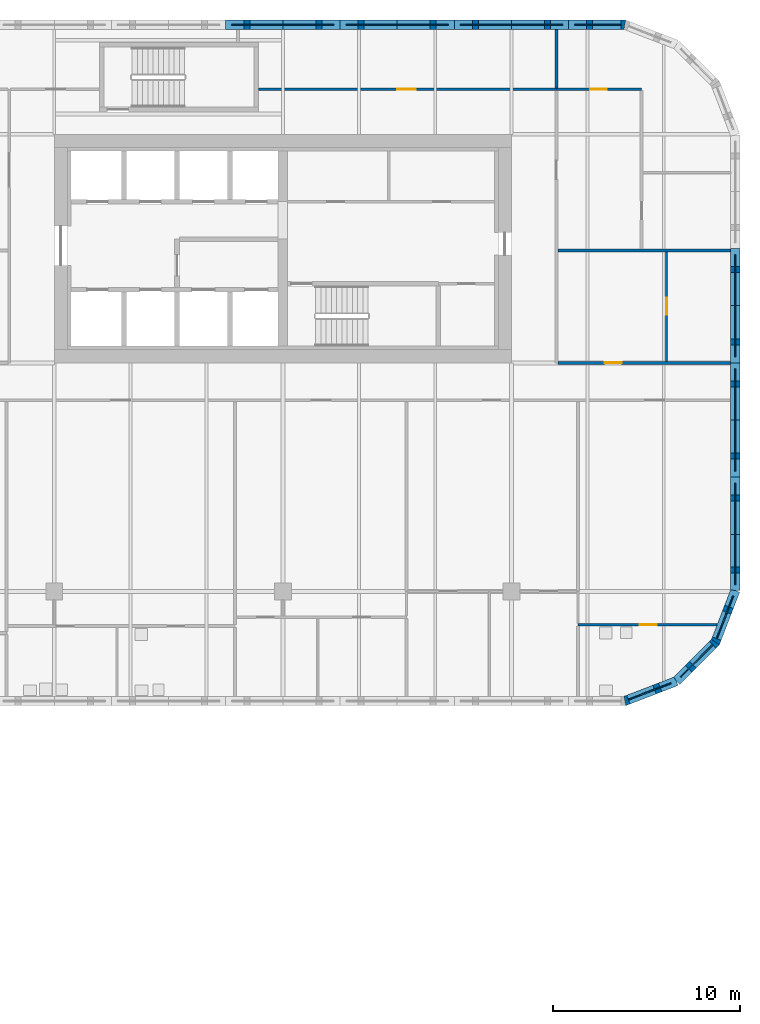
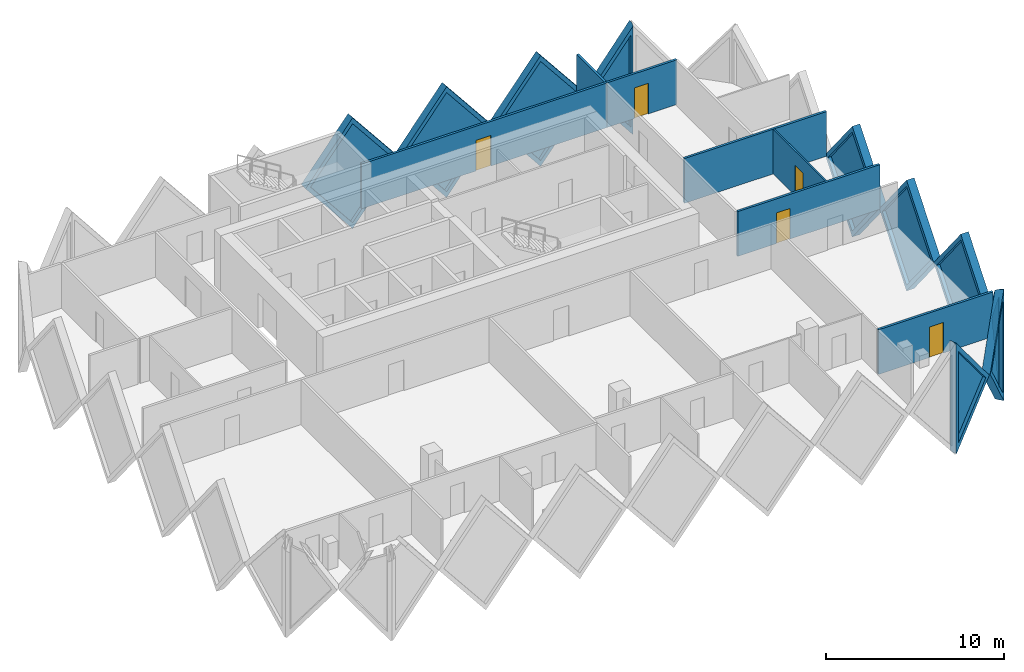
# One storey, part 15 of 20: 17 walls, 10 plates, 5 doors, 15 openings.
"""IFC4 building model written with IfcOpenShell, lengths in metres."""

from ifc_helpers import new_model, si_unit, direction, frame, frame_2d, origin, place, context, subcontext, project, spatial, polyline, rectangle, outline, extrude, faceted_brep, source, transform, mapped, material, layer, layer_set, type_object, element, fill, save


model = new_model("IFC4")

# Units and contexts
model_context = context("Model", 3, precision=1e-05, world=origin(), true_north=direction((0.0, 1.0)))
body_context = subcontext(model_context, "Body", "Model", "MODEL_VIEW")
ifc_project = project(units=[si_unit("LENGTHUNIT", "METRE"), si_unit("AREAUNIT", "SQUARE_METRE"), si_unit("VOLUMEUNIT", "CUBIC_METRE"), si_unit("PLANEANGLEUNIT", "RADIAN"), si_unit("MASSUNIT", "GRAM", prefix="KILO")], contexts=[model_context])

# Site, building, storey
site_placement = place(None, origin())
site = spatial("IfcSite", under=ifc_project, at=site_placement, CompositionType="ELEMENT")
building_placement = place(site_placement, origin())
building = spatial("IfcBuilding", under=site, at=building_placement, Name="Tessera Gate Towers", CompositionType="ELEMENT")
storey_placement = place(building_placement, frame((0.0, 0.0, 48.60009765625)))
storey = spatial("IfcBuildingStorey", under=building, at=storey_placement, Name="L11", CompositionType="ELEMENT", Elevation=48.60009765625)

# Wall, opening, door
ifc_material_1 = material(Name="Gypsum board on steel studs, mineral wool", Category="steel")
ifc_layer_1 = layer(ifc_material_1, 0.14990234375)
ifc_layer_set_1 = layer_set([ifc_layer_1], Name="CORRIDOR WALL 150")
wall_type_1 = type_object("IfcWallType", Name="CORRIDOR WALL 150", PredefinedType="PARTITIONING", material=ifc_layer_set_1)
wall_1_placement = place(storey_placement, frame((124.47607421875, 36.60009765625, 0.0), z_axis=(0.0, 0.0, 1.0), x_axis=(1.0, 0.0, 0.0)))
wall_1 = element("IfcWall", 1, at=wall_1_placement, inside=storey, type_object=wall_type_1, Name="T2-L11-PW-028", PredefinedType="PARTITIONING", context=body_context, shape_type="SweptSolid", body=[
    extrude(rectangle(XDim=9.223876953125, YDim=0.14990234375, at=frame_2d((4.61181640625, 0.0))), origin(), (0.0, 0.0, 1.0), 3.06689453125),
])
shared_shape_1 = source(origin(), body_context, "Body", "SweptSolid", [
    extrude(rectangle(XDim=0.89990234375, YDim=2.10009765625, at=frame_2d((0.449951171875, 1.050048828125))), frame((0.0, 0.0849609375, 0.0), z_axis=(0.0, -1.0, 0.0), x_axis=(1.0, 0.0, 0.0)), (0.0, 0.0, 1.0), 0.169921875),
])
opening_1_placement = place(wall_1_placement, frame((2.5, 0.0, 0.0)))
opening_1 = element("IfcOpeningElement", 2, at=opening_1_placement, cuts=wall_1, Name="Opening D890FD60-B05-03", PredefinedType="OPENING", context=body_context, shape_type="MappedRepresentation", body=[
    mapped(shared_shape_1, transform((0.0, 0.0, 0.0), scale=1.0)),
])
ifc_material_2 = material(Name="Timber door leaf in steel frame", Category="steel")
door_type_1 = type_object("IfcDoorType", Name="CORRIDOR DOOR 900 FD60", OperationType="NOTDEFINED", PredefinedType="DOOR", material=ifc_material_2)
shared_shape_2 = source(origin(), body_context, "Body", "SweptSolid", [
    extrude(rectangle(XDim=0.89990234375, YDim=2.10009765625, at=frame_2d((0.449951171875, 1.050048828125))), frame((0.0, 0.02490234375, 0.0), z_axis=(0.0, -1.0, 0.0), x_axis=(1.0, 0.0, 0.0)), (0.0, 0.0, 1.0), 0.050048828125),
])
door_1_placement = place(opening_1_placement, origin())
door_1 = element("IfcDoor", 3, at=door_1_placement, inside=storey, type_object=door_type_1, Name="T2-L11-PD-023", OperationType="SINGLE_SWING_LEFT", OverallHeight=2.10009765625, OverallWidth=0.89990234375, PredefinedType="DOOR", context=body_context, shape_type="MappedRepresentation", body=[
    mapped(shared_shape_2, transform((0.0, 0.0, 0.0), scale=1.0)),
])
fill(opening_1, door_1)

wall_2_placement = place(storey_placement, frame((108.5, 51.199951171875, 0.0), z_axis=(0.0, 0.0, 1.0), x_axis=(1.0, 0.0, 0.0)))
wall_2 = element("IfcWall", 4, at=wall_2_placement, inside=storey, type_object=wall_type_1, Name="T2-L11-PW-040", PredefinedType="PARTITIONING", context=body_context, shape_type="SweptSolid", body=[
    extrude(rectangle(XDim=15.89990234375, YDim=0.14990234375, at=frame_2d((7.949951171875, 0.0))), origin(), (0.0, 0.0, 1.0), 3.06689453125),
])
shared_shape_3 = source(origin(), body_context, "Body", "SweptSolid", [
    extrude(rectangle(XDim=1.0, YDim=2.10009765625, at=frame_2d((0.5, 1.050048828125))), frame((0.0, 0.0849609375, 0.0), z_axis=(0.0, -1.0, 0.0), x_axis=(1.0, 0.0, 0.0)), (0.0, 0.0, 1.0), 0.169921875),
])
opening_2_placement = place(wall_2_placement, frame((7.39990234375, 0.0, 0.0)))
opening_2 = element("IfcOpeningElement", 5, at=opening_2_placement, cuts=wall_2, Name="Opening D2100FD60-B05-07", PredefinedType="OPENING", context=body_context, shape_type="MappedRepresentation", body=[
    mapped(shared_shape_3, transform((0.0, 0.0, 0.0), scale=1.0)),
])
ifc_material_3 = material(Name="Timber door leaf in steel frame", Category="steel")
door_type_2 = type_object("IfcDoorType", Name="TENANCY ENTRANCE DOOR 1000 FD60", OperationType="NOTDEFINED", PredefinedType="DOOR", material=ifc_material_3)
shared_shape_4 = source(origin(), body_context, "Body", "SweptSolid", [
    extrude(rectangle(XDim=1.0, YDim=2.10009765625, at=frame_2d((0.5, 1.050048828125))), frame((0.0, 0.02490234375, 0.0), z_axis=(0.0, -1.0, 0.0), x_axis=(1.0, 0.0, 0.0)), (0.0, 0.0, 1.0), 0.050048828125),
])
door_2_placement = place(opening_2_placement, origin())
door_2 = element("IfcDoor", 6, at=door_2_placement, inside=storey, type_object=door_type_2, Name="T2-L11-PD-025", OperationType="SINGLE_SWING_LEFT", OverallHeight=2.10009765625, OverallWidth=1.0, PredefinedType="DOOR", context=body_context, shape_type="MappedRepresentation", body=[
    mapped(shared_shape_4, transform((0.0, 0.0, 0.0), scale=1.0)),
])
fill(opening_2, door_2)

ifc_material_4 = material(Name="Gypsum board on steel studs", Category="steel")
ifc_layer_2 = layer(ifc_material_4, 0.10009765625)
ifc_layer_set_2 = layer_set([ifc_layer_2], Name="PARTITION 100")
wall_type_2 = type_object("IfcWallType", Name="PARTITION 100", PredefinedType="PARTITIONING", material=ifc_layer_set_2)
wall_3_placement = place(storey_placement, frame((130.280029296875, 42.52392578125, 0.0), z_axis=(0.0, 0.0, 1.0), x_axis=(0.0, -1.0, 0.0)))
wall_3 = element("IfcWall", 7, at=wall_3_placement, inside=storey, type_object=wall_type_2, Name="T2-L11-PW-030", PredefinedType="PARTITIONING", context=body_context, shape_type="SweptSolid", body=[
    extrude(rectangle(XDim=5.847900390625, YDim=0.10009765625, at=frame_2d((2.923828125, 0.0))), origin(), (0.0, 0.0, 1.0), 3.06689453125),
])
shared_shape_5 = source(origin(), body_context, "Body", "SweptSolid", [
    extrude(rectangle(XDim=0.89990234375, YDim=2.10009765625, at=frame_2d((0.449951171875, 1.050048828125))), frame((0.0, 0.06005859375, 0.0), z_axis=(0.0, -1.0, 0.0), x_axis=(1.0, 0.0, 0.0)), (0.0, 0.0, 1.0), 0.1201171875),
])
opening_3_placement = place(wall_3_placement, frame((2.447998046875, 0.0, 0.0)))
opening_3 = element("IfcOpeningElement", 8, at=opening_3_placement, cuts=wall_3, Name="Opening D190-B05-07", PredefinedType="OPENING", context=body_context, shape_type="MappedRepresentation", body=[
    mapped(shared_shape_5, transform((0.0, 0.0, 0.0), scale=1.0)),
])
ifc_material_5 = material(Name="Timber door leaf in steel frame", Category="steel")
door_type_3 = type_object("IfcDoorType", Name="INTERNAL DOOR 900 NOT RATED", OperationType="NOTDEFINED", PredefinedType="DOOR", material=ifc_material_5)
door_3_placement = place(opening_3_placement, origin())
door_3 = element("IfcDoor", 9, at=door_3_placement, inside=storey, type_object=door_type_3, Name="T2-L11-PD-011", OperationType="SINGLE_SWING_RIGHT", OverallHeight=2.10009765625, OverallWidth=0.89990234375, PredefinedType="DOOR", context=body_context, shape_type="MappedRepresentation", body=[
    mapped(shared_shape_2, transform((0.0, 0.0, 0.0), scale=1.0)),
])
fill(opening_3, door_3)

ifc_material_6 = material(Name="Gypsum board on steel studs, mineral wool", Category="steel")
ifc_layer_3 = layer(ifc_material_6, 0.14990234375)
ifc_layer_set_3 = layer_set([ifc_layer_3], Name="TENANCY WALL 150")
wall_type_3 = type_object("IfcWallType", Name="TENANCY WALL 150", PredefinedType="PARTITIONING", material=ifc_layer_set_3)
wall_4_placement = place(storey_placement, frame((132.9794921875, 22.625, 0.0), z_axis=(0.0, 0.0, 1.0), x_axis=(-1.0, 0.0, 0.0)))
wall_4 = element("IfcWall", 10, at=wall_4_placement, inside=storey, type_object=wall_type_3, Name="T2-L11-PW-012", PredefinedType="PARTITIONING", context=body_context, shape_type="SweptSolid", body=[
    extrude(rectangle(XDim=7.429443359375, YDim=0.14990234375, at=frame_2d((3.71484375, 0.0))), origin(), (0.0, 0.0, 1.0), 3.06689453125),
])
opening_4_placement = place(wall_4_placement, frame((3.2294921875, 0.0, 0.0)))
opening_4 = element("IfcOpeningElement", 11, at=opening_4_placement, cuts=wall_4, Name="Opening D190-B05-09", PredefinedType="OPENING", context=body_context, shape_type="MappedRepresentation", body=[
    mapped(shared_shape_1, transform((0.0, 0.0, 0.0), scale=1.0)),
])
door_4_placement = place(opening_4_placement, origin())
door_4 = element("IfcDoor", 12, at=door_4_placement, inside=storey, type_object=door_type_3, Name="T2-L11-PD-013", OperationType="SINGLE_SWING_RIGHT", OverallHeight=2.10009765625, OverallWidth=0.89990234375, PredefinedType="DOOR", context=body_context, shape_type="MappedRepresentation", body=[
    mapped(shared_shape_2, transform((0.0, 0.0, 0.0), scale=1.0)),
])
fill(opening_4, door_4)

# Wall
wall_5_placement = place(storey_placement, frame((124.47607421875, 42.60009765625, 0.0), z_axis=(0.0, 0.0, 1.0), x_axis=(1.0, 0.0, 0.0)))
element("IfcWall", 13, at=wall_5_placement, inside=storey, type_object=wall_type_3, Name="T2-L11-PW-034", PredefinedType="PARTITIONING", context=body_context, shape_type="SweptSolid", body=[
    extrude(rectangle(XDim=9.223876953125, YDim=0.14990234375, at=frame_2d((4.61181640625, 0.0))), origin(), (0.0, 0.0, 1.0), 3.06689453125),
])

# Wall, opening, door
wall_6_placement = place(storey_placement, frame((124.40087890625, 51.199951171875, 0.0), z_axis=(0.0, 0.0, 1.0), x_axis=(1.0, 0.0, 0.0)))
wall_6 = element("IfcWall", 14, at=wall_6_placement, inside=storey, type_object=wall_type_3, Name="T2-L11-PW-041", PredefinedType="PARTITIONING", context=body_context, shape_type="SweptSolid", body=[
    extrude(rectangle(XDim=4.549072265625, YDim=0.14990234375, at=frame_2d((2.2744140625, 0.0))), origin(), (0.0, 0.0, 1.0), 3.06689453125),
])
opening_5_placement = place(wall_6_placement, frame((1.800048828125, 0.0, 0.0)))
opening_5 = element("IfcOpeningElement", 15, at=opening_5_placement, cuts=wall_6, Name="Opening D190-B05-11", PredefinedType="OPENING", context=body_context, shape_type="MappedRepresentation", body=[
    mapped(shared_shape_1, transform((0.0, 0.0, 0.0), scale=1.0)),
])
door_5_placement = place(opening_5_placement, origin())
door_5 = element("IfcDoor", 16, at=door_5_placement, inside=storey, type_object=door_type_3, Name="T2-L11-PD-018", OperationType="SINGLE_SWING_LEFT", OverallHeight=2.10009765625, OverallWidth=0.89990234375, PredefinedType="DOOR", context=body_context, shape_type="MappedRepresentation", body=[
    mapped(shared_shape_2, transform((0.0, 0.0, 0.0), scale=1.0)),
])
fill(opening_5, door_5)

# Wall
wall_7_placement = place(storey_placement, frame((124.39990234375, 51.27587890625, 0.0), z_axis=(0.0, 0.0, 1.0), x_axis=(0.0, 1.0, 0.0)))
element("IfcWall", 17, at=wall_7_placement, inside=storey, type_object=wall_type_3, Name="T2-L11-PW-042", PredefinedType="PARTITIONING", context=body_context, shape_type="SweptSolid", body=[
    extrude(rectangle(XDim=3.1240234375, YDim=0.14990234375, at=frame_2d((1.56201171875, 0.0))), origin(), (0.0, 0.0, 1.0), 3.06689453125),
])

# Wall, opening, plate
ifc_material_7 = material(Name="Precast concrete C60/75 white", Category="concrete")
ifc_layer_4 = layer(ifc_material_7, 0.5)
ifc_layer_set_4 = layer_set([ifc_layer_4], Name="TS1 tessera")
wall_type_4 = type_object("IfcWallType", Name="TS1 tessera", PredefinedType="SOLIDWALL", material=ifc_layer_set_4)
shared_shape_6 = source(origin(), body_context, "Body", "Brep", [
    faceted_brep([(3.00341796875, -0.25, 0.0), (6.053466796875, -0.25, 3.800048828125), (3.00341796875, -0.25, 7.599853515625), (0.0, -0.25, 3.800048828125), (0.046630859375, 0.25, 3.85888671875), (3.00341796875, 0.25, 7.599853515625), (6.053466796875, 0.25, 3.800048828125), (3.00341796875, 0.25, 0.0), (0.046630859375, 0.25, 3.7412109375), (0.0, 0.0, 3.800048828125)], [[[0, 1, 2, 3]], [[4, 5, 6, 7, 8]], [[7, 6, 1, 0]], [[6, 5, 2, 1]], [[5, 4, 9, 3, 2]], [[8, 7, 0, 3, 9]], [[8, 9, 4]]]),
])
wall_8_placement = place(storey_placement, frame((133.949951171875, 24.446533203125, -3.800048828125), z_axis=(0.0, 0.0, 1.0), x_axis=(0.0, 1.0, 0.0)))
wall_8 = element("IfcWall", 18, at=wall_8_placement, inside=storey, type_object=wall_type_4, Name="Precast tessera T2 TS1-0113", PredefinedType="SOLIDWALL", context=body_context, shape_type="MappedRepresentation", body=[
    mapped(shared_shape_6, transform((0.0, 0.0, 0.0), scale=1.0)),
])
shared_shape_7 = source(origin(), body_context, "Body", "SweptSolid", [
    extrude(outline(polyline([(3.0048828125, 0.401123046875), (5.73291015625, 3.800048828125), (3.0048828125, 7.19873046875), (0.318603515625, 3.800048828125), (3.0048828125, 0.401123046875)])), frame((0.0, 0.260009765625, 0.0), z_axis=(0.0, -1.0, 0.0), x_axis=(1.0, 0.0, 0.0)), (0.0, 0.0, 1.0), 0.52001953125),
])
opening_6_placement = place(wall_8_placement, origin())
opening_6 = element("IfcOpeningElement", 19, at=opening_6_placement, cuts=wall_8, Name="Opening T2-PL2-0215", PredefinedType="OPENING", context=body_context, shape_type="MappedRepresentation", body=[
    mapped(shared_shape_7, transform((0.0, 0.0, 0.0), scale=1.0)),
])
ifc_material_8 = material(Name="Low-e laminated glass", Category="glass")
ifc_layer_5 = layer(ifc_material_8, 0.06005859375)
ifc_layer_set_5 = layer_set([ifc_layer_5], Name="PL2 rhombic pane")
plate_type = type_object("IfcPlateType", Name="PL2 rhombic pane", PredefinedType="SHEET", material=ifc_layer_set_5)
shared_shape_8 = source(origin(), body_context, "Body", "SweptSolid", [
    extrude(outline(polyline([(3.0048828125, 0.401123046875), (5.73291015625, 3.800048828125), (3.0048828125, 7.19873046875), (0.318603515625, 3.800048828125), (3.0048828125, 0.401123046875)])), frame((0.0, 0.030029296875, 0.0), z_axis=(0.0, -1.0, 0.0), x_axis=(1.0, 0.0, 0.0)), (0.0, 0.0, 1.0), 0.06005859375),
])
plate_1_placement = place(opening_6_placement, origin())
plate_1 = element("IfcPlate", 20, at=plate_1_placement, inside=storey, type_object=plate_type, Name="Glass pane T2 PL2-0215", PredefinedType="SHEET", context=body_context, shape_type="MappedRepresentation", body=[
    mapped(shared_shape_8, transform((0.0, 0.0, 0.0), scale=1.0)),
])
fill(opening_6, plate_1)

shared_shape_9 = source(origin(), body_context, "Body", "Brep", [
    faceted_brep([(3.050048828125, -0.25, 0.0), (6.099853515625, -0.25, 3.7998046875), (6.099853515625, -0.25, 3.80029296875), (3.050048828125, -0.25, 7.599853515625), (0.0, -0.25, 3.800048828125), (0.0, 0.25, 3.800048828125), (3.050048828125, 0.25, 7.599853515625), (6.099853515625, 0.25, 3.80029296875), (6.099853515625, 0.25, 3.7998046875), (3.050048828125, 0.25, 0.0)], [[[0, 1, 2, 3, 4]], [[5, 6, 7, 8, 9]], [[9, 8, 1, 0]], [[7, 6, 3, 2]], [[6, 5, 4, 3]], [[5, 9, 0, 4]], [[1, 8, 7, 2]]]),
])
wall_9_placement = place(storey_placement, frame((133.949951171875, 36.60009765625, -3.800048828125), z_axis=(0.0, 0.0, 1.0), x_axis=(0.0, 1.0, 0.0)))
wall_9 = element("IfcWall", 21, at=wall_9_placement, inside=storey, type_object=wall_type_4, Name="Precast tessera T2 TS1-0115", PredefinedType="SOLIDWALL", context=body_context, shape_type="MappedRepresentation", body=[
    mapped(shared_shape_9, transform((0.0, 0.0, 0.0), scale=1.0)),
])
shared_shape_10 = source(origin(), body_context, "Body", "SweptSolid", [
    extrude(outline(polyline([(3.050048828125, 0.3994140625), (5.779541015625, 3.800048828125), (3.050048828125, 7.200439453125), (0.320556640625, 3.800048828125), (3.050048828125, 0.3994140625)])), frame((0.0, 0.260009765625, 0.0), z_axis=(0.0, -1.0, 0.0), x_axis=(1.0, 0.0, 0.0)), (0.0, 0.0, 1.0), 0.52001953125),
])
opening_7_placement = place(wall_9_placement, origin())
opening_7 = element("IfcOpeningElement", 22, at=opening_7_placement, cuts=wall_9, Name="Opening T2-PL2-0217", PredefinedType="OPENING", context=body_context, shape_type="MappedRepresentation", body=[
    mapped(shared_shape_10, transform((0.0, 0.0, 0.0), scale=1.0)),
])
shared_shape_11 = source(origin(), body_context, "Body", "SweptSolid", [
    extrude(outline(polyline([(3.050048828125, 0.3994140625), (5.779541015625, 3.800048828125), (3.050048828125, 7.200439453125), (0.320556640625, 3.800048828125), (3.050048828125, 0.3994140625)])), frame((0.0, 0.030029296875, 0.0), z_axis=(0.0, -1.0, 0.0), x_axis=(1.0, 0.0, 0.0)), (0.0, 0.0, 1.0), 0.06005859375),
])
plate_2_placement = place(opening_7_placement, origin())
plate_2 = element("IfcPlate", 23, at=plate_2_placement, inside=storey, type_object=plate_type, Name="Glass pane T2 PL2-0217", PredefinedType="SHEET", context=body_context, shape_type="MappedRepresentation", body=[
    mapped(shared_shape_11, transform((0.0, 0.0, 0.0), scale=1.0)),
])
fill(opening_7, plate_2)

wall_10_placement = place(storey_placement, frame((118.949951171875, 54.64990234375, -3.800048828125), z_axis=(0.0, 0.0, 1.0), x_axis=(-1.0, 0.0, 0.0)))
wall_10 = element("IfcWall", 24, at=wall_10_placement, inside=storey, type_object=wall_type_4, Name="Precast tessera T2 TS1-0118", PredefinedType="SOLIDWALL", context=body_context, shape_type="MappedRepresentation", body=[
    mapped(shared_shape_9, transform((0.0, 0.0, 0.0), scale=1.0)),
])
opening_8_placement = place(wall_10_placement, origin())
opening_8 = element("IfcOpeningElement", 25, at=opening_8_placement, cuts=wall_10, Name="Opening T2-PL2-0224", PredefinedType="OPENING", context=body_context, shape_type="MappedRepresentation", body=[
    mapped(shared_shape_10, transform((0.0, 0.0, 0.0), scale=1.0)),
])
plate_3_placement = place(opening_8_placement, origin())
plate_3 = element("IfcPlate", 26, at=plate_3_placement, inside=storey, type_object=plate_type, Name="Glass pane T2 PL2-0224", PredefinedType="SHEET", context=body_context, shape_type="MappedRepresentation", body=[
    mapped(shared_shape_11, transform((0.0, 0.0, 0.0), scale=1.0)),
])
fill(opening_8, plate_3)

shared_shape_12 = source(origin(), body_context, "Body", "SweptSolid", [
    extrude(outline(polyline([(3.050048828125, 0.0), (6.10009765625, 3.800048828125), (3.050048828125, 7.599853515625), (0.0, 3.800048828125), (3.050048828125, 0.0)])), frame((0.0, 0.25, 0.0), z_axis=(0.0, -1.0, 0.0), x_axis=(1.0, 0.0, 0.0)), (0.0, 0.0, 1.0), 0.5),
])
wall_11_placement = place(storey_placement, frame((133.949951171875, 30.5, -3.800048828125), z_axis=(0.0, 0.0, 1.0), x_axis=(0.0, 1.0, 0.0)))
wall_11 = element("IfcWall", 27, at=wall_11_placement, inside=storey, type_object=wall_type_4, Name="Precast tessera T2 TS1-0114", PredefinedType="SOLIDWALL", context=body_context, shape_type="MappedRepresentation", body=[
    mapped(shared_shape_12, transform((0.0, 0.0, 0.0), scale=1.0)),
])
opening_9_placement = place(wall_11_placement, origin())
opening_9 = element("IfcOpeningElement", 28, at=opening_9_placement, cuts=wall_11, Name="Opening T2-PL2-0216", PredefinedType="OPENING", context=body_context, shape_type="MappedRepresentation", body=[
    mapped(shared_shape_10, transform((0.0, 0.0, 0.0), scale=1.0)),
])
plate_4_placement = place(opening_9_placement, origin())
plate_4 = element("IfcPlate", 29, at=plate_4_placement, inside=storey, type_object=plate_type, Name="Glass pane T2 PL2-0216", PredefinedType="SHEET", context=body_context, shape_type="MappedRepresentation", body=[
    mapped(shared_shape_11, transform((0.0, 0.0, 0.0), scale=1.0)),
])
fill(opening_9, plate_4)

wall_12_placement = place(storey_placement, frame((125.050048828125, 54.64990234375, -3.800048828125), z_axis=(0.0, 0.0, 1.0), x_axis=(-1.0, 0.0, 0.0)))
wall_12 = element("IfcWall", 30, at=wall_12_placement, inside=storey, type_object=wall_type_4, Name="Precast tessera T2 TS1-0117", PredefinedType="SOLIDWALL", context=body_context, shape_type="MappedRepresentation", body=[
    mapped(shared_shape_12, transform((0.0, 0.0, 0.0), scale=1.0)),
])
opening_10_placement = place(wall_12_placement, origin())
opening_10 = element("IfcOpeningElement", 31, at=opening_10_placement, cuts=wall_12, Name="Opening T2-PL2-0223", PredefinedType="OPENING", context=body_context, shape_type="MappedRepresentation", body=[
    mapped(shared_shape_10, transform((0.0, 0.0, 0.0), scale=1.0)),
])
plate_5_placement = place(opening_10_placement, origin())
plate_5 = element("IfcPlate", 32, at=plate_5_placement, inside=storey, type_object=plate_type, Name="Glass pane T2 PL2-0223", PredefinedType="SHEET", context=body_context, shape_type="MappedRepresentation", body=[
    mapped(shared_shape_11, transform((0.0, 0.0, 0.0), scale=1.0)),
])
fill(opening_10, plate_5)

wall_13_placement = place(storey_placement, frame((112.85009765625, 54.64990234375, -3.800048828125), z_axis=(0.0, 0.0, 1.0), x_axis=(-1.0, 0.0, 0.0)))
wall_13 = element("IfcWall", 33, at=wall_13_placement, inside=storey, type_object=wall_type_4, Name="Precast tessera T2 TS1-0119", PredefinedType="SOLIDWALL", context=body_context, shape_type="MappedRepresentation", body=[
    mapped(shared_shape_12, transform((0.0, 0.0, 0.0), scale=1.0)),
])
opening_11_placement = place(wall_13_placement, origin())
opening_11 = element("IfcOpeningElement", 34, at=opening_11_placement, cuts=wall_13, Name="Opening T2-PL2-0225", PredefinedType="OPENING", context=body_context, shape_type="MappedRepresentation", body=[
    mapped(shared_shape_10, transform((0.0, 0.0, 0.0), scale=1.0)),
])
plate_6_placement = place(opening_11_placement, origin())
plate_6 = element("IfcPlate", 35, at=plate_6_placement, inside=storey, type_object=plate_type, Name="Glass pane T2 PL2-0225", PredefinedType="SHEET", context=body_context, shape_type="MappedRepresentation", body=[
    mapped(shared_shape_11, transform((0.0, 0.0, 0.0), scale=1.0)),
])
fill(opening_11, plate_6)

ifc_material_9 = material(Name="Precast concrete C60/75 white", Category="concrete")
ifc_layer_6 = layer(ifc_material_9, 0.5)
ifc_layer_set_6 = layer_set([ifc_layer_6], Name="TS3 corner tessera")
wall_type_5 = type_object("IfcWallType", Name="TS3 corner tessera", PredefinedType="SOLIDWALL", material=ifc_layer_set_6)
shared_shape_13 = source(origin(), body_context, "Body", "Brep", [
    faceted_brep([(0.046630859375, -0.25, 0.0), (3.050048828125, -0.25, 3.800048828125), (0.046630859375, -0.25, 7.599853515625), (0.0, -0.25, 7.539794921875), (0.0, -0.25, 0.06005859375), (0.09326171875, 0.25, 7.541015625), (3.050048828125, 0.25, 3.800048828125), (0.09326171875, 0.25, 0.058837890625), (0.046630859375, 0.0, 0.0), (0.046630859375, 0.0, 7.599853515625)], [[[0, 1, 2, 3, 4]], [[5, 6, 7]], [[7, 6, 1, 0, 8]], [[6, 5, 9, 2, 1]], [[3, 2, 9]], [[8, 0, 4]], [[7, 8, 4, 3, 9, 5]]]),
])
wall_14_placement = place(storey_placement, frame((128.10009765625, 54.64990234375, -3.800048828125), z_axis=(0.0, 0.0, 1.0), x_axis=(-1.0, 0.0, 0.0)))
wall_14 = element("IfcWall", 36, at=wall_14_placement, inside=storey, type_object=wall_type_5, Name="Precast corner tessera T2 TS3-0154", PredefinedType="SOLIDWALL", context=body_context, shape_type="MappedRepresentation", body=[
    mapped(shared_shape_13, transform((0.0, 0.0, 0.0), scale=1.0)),
])
shared_shape_14 = source(origin(), body_context, "Body", "SweptSolid", [
    extrude(outline(polyline([(0.24658203125, 0.65625), (2.7314453125, 3.800048828125), (0.24658203125, 6.94384765625), (0.24658203125, 0.65625)])), frame((0.0, 0.260009765625, 0.0), z_axis=(0.0, -1.0, 0.0), x_axis=(1.0, 0.0, 0.0)), (0.0, 0.0, 1.0), 0.52001953125),
])
opening_12_placement = place(wall_14_placement, origin())
opening_12 = element("IfcOpeningElement", 37, at=opening_12_placement, cuts=wall_14, Name="Opening T2-PL2-0222", PredefinedType="OPENING", context=body_context, shape_type="MappedRepresentation", body=[
    mapped(shared_shape_14, transform((0.0, 0.0, 0.0), scale=1.0)),
])
shared_shape_15 = source(origin(), body_context, "Body", "SweptSolid", [
    extrude(outline(polyline([(0.24658203125, 0.65625), (2.7314453125, 3.800048828125), (0.24658203125, 6.94384765625), (0.24658203125, 0.65625)])), frame((0.0, 0.030029296875, 0.0), z_axis=(0.0, -1.0, 0.0), x_axis=(1.0, 0.0, 0.0)), (0.0, 0.0, 1.0), 0.06005859375),
])
plate_7_placement = place(opening_12_placement, origin())
plate_7 = element("IfcPlate", 38, at=plate_7_placement, inside=storey, type_object=plate_type, Name="Glass pane T2 PL2-0222", PredefinedType="SHEET", context=body_context, shape_type="MappedRepresentation", body=[
    mapped(shared_shape_15, transform((0.0, 0.0, 0.0), scale=1.0)),
])
fill(opening_12, plate_7)

shared_shape_16 = source(origin(), body_context, "Body", "Brep", [
    faceted_brep([(0.046630859375, -0.25, 0.0), (2.9970703125, -0.25, 3.800048828125), (0.046630859375, -0.25, 7.599853515625), (0.0, -0.25, 7.541015625), (0.0, -0.25, 0.058837890625), (0.09326171875, 0.25, 7.539794921875), (2.9443359375, 0.25, 3.8681640625), (2.9443359375, 0.25, 3.73193359375), (0.09326171875, 0.25, 0.06005859375), (2.9970703125, 0.00048828125, 3.800048828125), (0.046630859375, 0.0, 0.0), (0.046630859375, 0.0, 7.599853515625)], [[[0, 1, 2, 3, 4]], [[5, 6, 7, 8]], [[8, 7, 9, 1, 0, 10]], [[6, 5, 11, 2, 1, 9]], [[3, 2, 11]], [[10, 0, 4]], [[8, 10, 4, 3, 11, 5]], [[7, 6, 9]]]),
])
wall_15_placement = place(storey_placement, frame((128.010009765625, 18.533203125, -3.800048828125), z_axis=(0.0, 0.0, 1.0), x_axis=(0.932990326376, 0.359901446078, 0.0)))
wall_15 = element("IfcWall", 39, at=wall_15_placement, inside=storey, type_object=wall_type_5, Name="Precast corner tessera T2 TS3-0148", PredefinedType="SOLIDWALL", context=body_context, shape_type="MappedRepresentation", body=[
    mapped(shared_shape_16, transform((0.0, 0.0, 0.0), scale=1.0)),
])
shared_shape_17 = source(origin(), body_context, "Body", "SweptSolid", [
    extrude(outline(polyline([(0.24658203125, 0.665283203125), (2.6806640625, 3.800048828125), (0.24658203125, 6.934814453125), (0.24658203125, 0.665283203125)])), frame((0.0, 0.260009765625, 0.0), z_axis=(0.0, -1.0, 0.0), x_axis=(1.0, 0.0, 0.0)), (0.0, 0.0, 1.0), 0.52001953125),
])
opening_13_placement = place(wall_15_placement, origin())
opening_13 = element("IfcOpeningElement", 40, at=opening_13_placement, cuts=wall_15, Name="Opening T2-PL2-0212", PredefinedType="OPENING", context=body_context, shape_type="MappedRepresentation", body=[
    mapped(shared_shape_17, transform((0.0, 0.0, 0.0), scale=1.0)),
])
shared_shape_18 = source(origin(), body_context, "Body", "SweptSolid", [
    extrude(outline(polyline([(0.24658203125, 0.665283203125), (2.6806640625, 3.800048828125), (0.24658203125, 6.934814453125), (0.24658203125, 0.665283203125)])), frame((0.0, 0.030029296875, 0.0), z_axis=(0.0, -1.0, 0.0), x_axis=(1.0, 0.0, 0.0)), (0.0, 0.0, 1.0), 0.06005859375),
])
plate_8_placement = place(opening_13_placement, origin())
plate_8 = element("IfcPlate", 41, at=plate_8_placement, inside=storey, type_object=plate_type, Name="Glass pane T2 PL2-0212", PredefinedType="SHEET", context=body_context, shape_type="MappedRepresentation", body=[
    mapped(shared_shape_18, transform((0.0, 0.0, 0.0), scale=1.0)),
])
fill(opening_13, plate_8)

shared_shape_19 = source(origin(), body_context, "Body", "Brep", [
    faceted_brep([(0.052978515625, -0.25, 0.0), (3.00341796875, -0.25, 3.800048828125), (0.052978515625, -0.25, 7.599853515625), (0.0, -0.25, 7.531494140625), (0.0, -0.25, 0.068359375), (0.10595703125, 0.25, 7.53173828125), (2.95703125, 0.25, 3.85986328125), (2.95703125, 0.25, 3.740234375), (0.10595703125, 0.25, 0.068115234375), (3.00341796875, 0.00048828125, 3.800048828125), (0.052978515625, 0.0, 0.0), (0.052978515625, 0.0, 7.599853515625)], [[[0, 1, 2, 3, 4]], [[5, 6, 7, 8]], [[8, 7, 9, 1, 0, 10]], [[6, 5, 11, 2, 1, 9]], [[3, 2, 11]], [[10, 0, 4]], [[8, 10, 4, 3, 11, 5]], [[7, 6, 9]]]),
])
wall_16_placement = place(storey_placement, frame((132.869140625, 21.644287109375, -3.800048828125), z_axis=(0.0, 0.0, 1.0), x_axis=(0.359855894603, 0.933007896601, 0.0)))
wall_16 = element("IfcWall", 42, at=wall_16_placement, inside=storey, type_object=wall_type_5, Name="Precast corner tessera T2 TS3-0150", PredefinedType="SOLIDWALL", context=body_context, shape_type="MappedRepresentation", body=[
    mapped(shared_shape_19, transform((0.0, 0.0, 0.0), scale=1.0)),
])
shared_shape_20 = source(origin(), body_context, "Body", "SweptSolid", [
    extrude(outline(polyline([(0.2529296875, 0.665283203125), (2.68701171875, 3.800048828125), (0.2529296875, 6.934814453125), (0.2529296875, 0.665283203125)])), frame((0.0, 0.260009765625, 0.0), z_axis=(0.0, -1.0, 0.0), x_axis=(1.0, 0.0, 0.0)), (0.0, 0.0, 1.0), 0.52001953125),
])
opening_14_placement = place(wall_16_placement, origin())
opening_14 = element("IfcOpeningElement", 43, at=opening_14_placement, cuts=wall_16, Name="Opening T2-PL2-0214", PredefinedType="OPENING", context=body_context, shape_type="MappedRepresentation", body=[
    mapped(shared_shape_20, transform((0.0, 0.0, 0.0), scale=1.0)),
])
shared_shape_21 = source(origin(), body_context, "Body", "SweptSolid", [
    extrude(outline(polyline([(0.2529296875, 0.665283203125), (2.68701171875, 3.800048828125), (0.2529296875, 6.934814453125), (0.2529296875, 0.665283203125)])), frame((0.0, 0.030029296875, 0.0), z_axis=(0.0, -1.0, 0.0), x_axis=(1.0, 0.0, 0.0)), (0.0, 0.0, 1.0), 0.06005859375),
])
plate_9_placement = place(opening_14_placement, origin())
plate_9 = element("IfcPlate", 44, at=plate_9_placement, inside=storey, type_object=plate_type, Name="Glass pane T2 PL2-0214", PredefinedType="SHEET", context=body_context, shape_type="MappedRepresentation", body=[
    mapped(shared_shape_21, transform((0.0, 0.0, 0.0), scale=1.0)),
])
fill(opening_14, plate_9)

shared_shape_22 = source(origin(), body_context, "Body", "Brep", [
    faceted_brep([(2.944091796875, -0.25, 0.0), (2.9970703125, -0.25, 0.068115234375), (2.9970703125, -0.25, 7.53173828125), (2.944091796875, -0.25, 7.599853515625), (0.0, -0.25, 3.800048828125), (0.052978515625, 0.25, 3.868408203125), (2.89111328125, 0.25, 7.53173828125), (2.89111328125, 0.25, 0.068115234375), (0.052978515625, 0.25, 3.731689453125), (2.944091796875, 0.000244140625, 0.0), (2.944091796875, 0.000244140625, 7.599853515625), (0.0, 0.0, 3.800048828125)], [[[0, 1, 2, 3, 4]], [[5, 6, 7, 8]], [[1, 0, 9]], [[10, 3, 2]], [[6, 5, 11, 4, 3, 10]], [[8, 7, 9, 0, 4, 11]], [[8, 11, 5]], [[1, 9, 7, 6, 10, 2]]]),
])
wall_17_placement = place(storey_placement, frame((130.80615234375, 19.61181640625, -3.800048828125), z_axis=(0.0, 0.0, 1.0), x_axis=(0.707106781187, 0.707106781187, 0.0)))
wall_17 = element("IfcWall", 45, at=wall_17_placement, inside=storey, type_object=wall_type_5, Name="Precast corner tessera T2 TS3-0149", PredefinedType="SOLIDWALL", context=body_context, shape_type="MappedRepresentation", body=[
    mapped(shared_shape_22, transform((0.0, 0.0, 0.0), scale=1.0)),
])
shared_shape_23 = source(origin(), body_context, "Body", "SweptSolid", [
    extrude(outline(polyline([(2.744140625, 6.93359375), (0.316162109375, 3.800048828125), (2.744140625, 0.666259765625), (2.744140625, 6.93359375)])), frame((0.0, 0.260009765625, 0.0), z_axis=(0.0, -1.0, 0.0), x_axis=(1.0, 0.0, 0.0)), (0.0, 0.0, 1.0), 0.52001953125),
])
opening_15_placement = place(wall_17_placement, origin())
opening_15 = element("IfcOpeningElement", 46, at=opening_15_placement, cuts=wall_17, Name="Opening T2-PL2-0213", PredefinedType="OPENING", context=body_context, shape_type="MappedRepresentation", body=[
    mapped(shared_shape_23, transform((0.0, 0.0, 0.0), scale=1.0)),
])
shared_shape_24 = source(origin(), body_context, "Body", "SweptSolid", [
    extrude(outline(polyline([(2.744140625, 6.93359375), (0.316162109375, 3.800048828125), (2.744140625, 0.666259765625), (2.744140625, 6.93359375)])), frame((0.0, 0.030029296875, 0.0), z_axis=(0.0, -1.0, 0.0), x_axis=(1.0, 0.0, 0.0)), (0.0, 0.0, 1.0), 0.06005859375),
])
plate_10_placement = place(opening_15_placement, origin())
plate_10 = element("IfcPlate", 47, at=plate_10_placement, inside=storey, type_object=plate_type, Name="Glass pane T2 PL2-0213", PredefinedType="SHEET", context=body_context, shape_type="MappedRepresentation", body=[
    mapped(shared_shape_24, transform((0.0, 0.0, 0.0), scale=1.0)),
])
fill(opening_15, plate_10)

save(model, "model.ifc")
